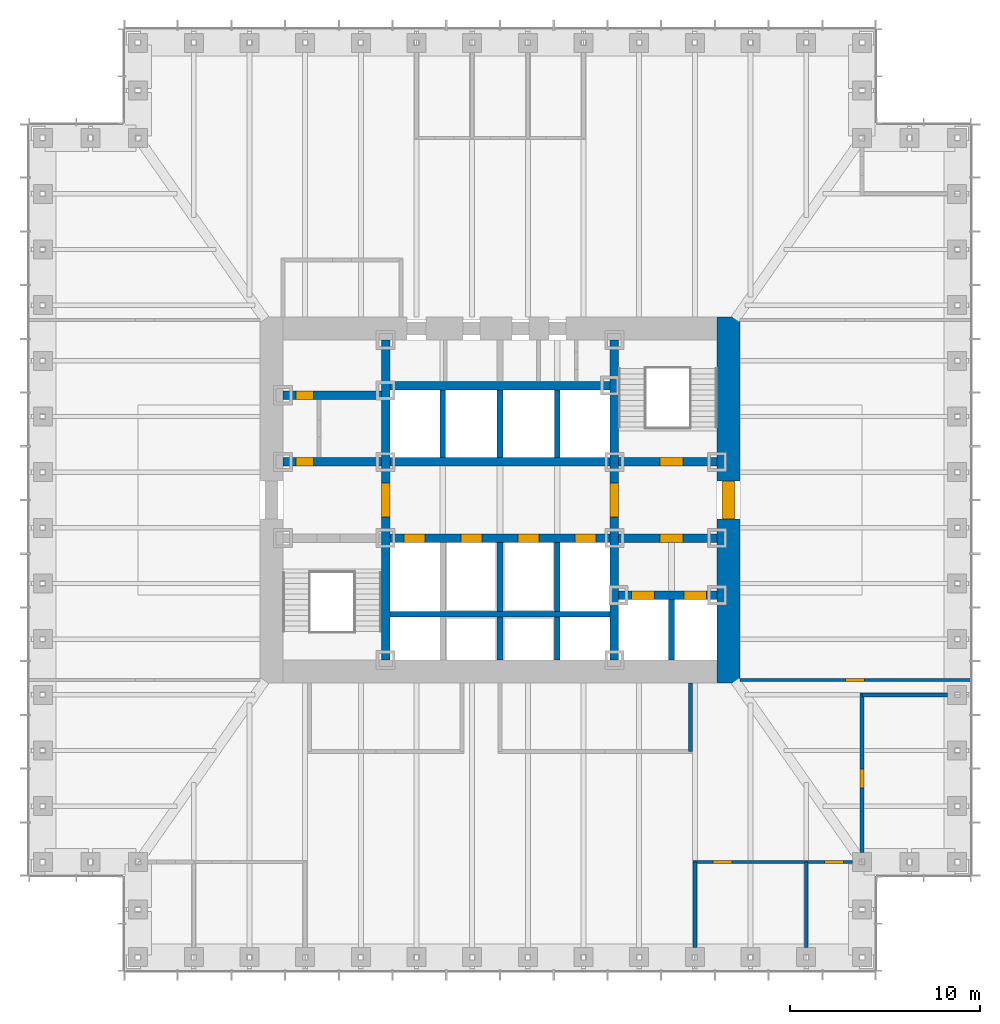
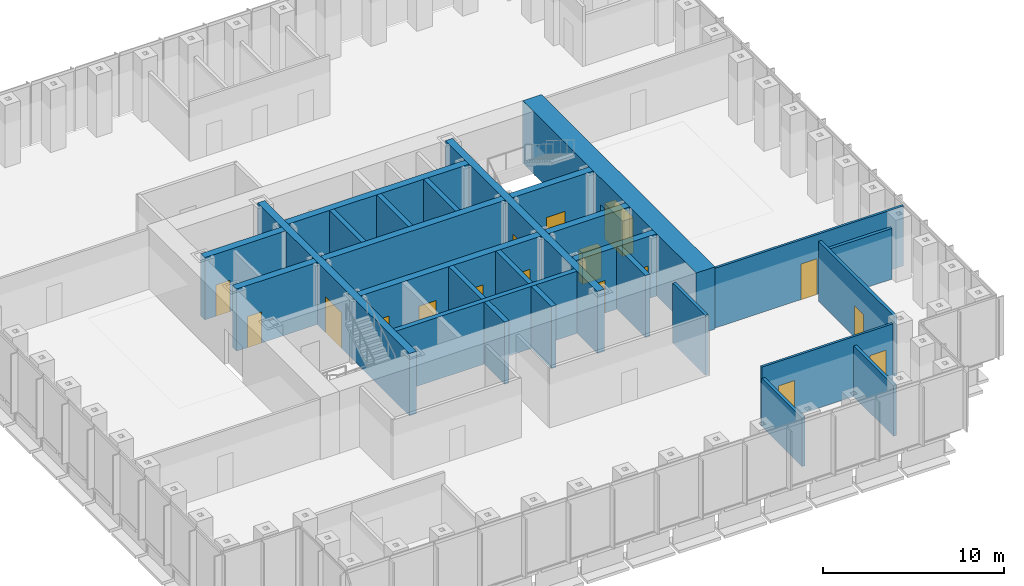
# One storey, part 9 of 16: 27 walls, 17 doors, 17 openings.
"""IFC4 building model written with IfcOpenShell, lengths in metres."""

from ifc_helpers import new_model, si_unit, direction, frame, frame_2d, origin, place, context, subcontext, project, spatial, rectangle, extrude, material, layer, layer_set, type_object, element, fill, save


model = new_model("IFC4")

# Units and contexts
model_context = context("Model", 3, precision=1e-05, world=origin(), true_north=direction((0.0, 1.0)))
body_context = subcontext(model_context, "Body", "Model", "MODEL_VIEW")
ifc_project = project(units=[si_unit("LENGTHUNIT", "METRE"), si_unit("AREAUNIT", "SQUARE_METRE"), si_unit("VOLUMEUNIT", "CUBIC_METRE"), si_unit("PLANEANGLEUNIT", "RADIAN"), si_unit("MASSUNIT", "GRAM", prefix="KILO")], contexts=[model_context])

# Site, building, storey
site_placement = place(None, origin())
site = spatial("IfcSite", under=ifc_project, at=site_placement, CompositionType="ELEMENT")
building_placement = place(site_placement, origin())
building = spatial("IfcBuilding", under=site, at=building_placement, Name="Daluyong Arena Tower", CompositionType="ELEMENT")
storey_placement = place(building_placement, frame((0.0, 0.0, 39.10009765625)))
storey = spatial("IfcBuildingStorey", under=building, at=storey_placement, Name="L07", CompositionType="ELEMENT", Elevation=39.10009765625)

# Wall, opening, door
ifc_material_1 = material(Name="Concrete fc' 45 MPa", Category="concrete")
ifc_layer_1 = layer(ifc_material_1, 0.449951171875)
ifc_layer_set_1 = layer_set([ifc_layer_1], Name="Concrete fc' 45 MPa")
wall_type_1 = type_object("IfcWallType", Name="Core inner wall 450", PredefinedType="SHEAR", material=ifc_layer_set_1)
wall_1_placement = place(storey_placement, frame((50.0, 71.60009765625, 0.0), z_axis=(0.0, 0.0, 1.0), x_axis=(0.0, 1.0, 0.0)))
wall_1 = element("IfcWall", 1, at=wall_1_placement, inside=storey, type_object=wall_type_1, Name="core inner wall at L07", PredefinedType="SHEAR", context=body_context, shape_type="SweptSolid", body=[
    extrude(rectangle(XDim=16.7998046875, YDim=0.449951171875, at=frame_2d((8.39990234375, 0.0))), origin(), (0.0, 0.0, 1.0), 4.199951171875),
])
opening_1_placement = place(wall_1_placement, frame((7.5, 0.0, 0.0)))
opening_1 = element("IfcOpeningElement", 2, at=opening_1_placement, cuts=wall_1, Name="Opening 07013", PredefinedType="OPENING", context=body_context, shape_type="SweptSolid", body=[
    extrude(rectangle(XDim=1.800048828125, YDim=2.39990234375, at=frame_2d((0.89990234375, 1.199951171875))), frame((0.0, 0.23486328125, 0.0), z_axis=(0.0, -1.0, 0.0), x_axis=(1.0, 0.0, 0.0)), (0.0, 0.0, 1.0), 0.469970703125),
])
ifc_material_2 = material(Name="Steel door, fire rated", Category="steel")
door_type_1 = type_object("IfcDoorType", Name="Lift lobby opening door 1800", OperationType="DOUBLE_DOOR_SINGLE_SWING", PredefinedType="DOOR", material=ifc_material_2)
door_1_placement = place(opening_1_placement, origin())
door_1 = element("IfcDoor", 3, at=door_1_placement, inside=storey, type_object=door_type_1, Name="lift lobby door west 07013", OperationType="DOUBLE_DOOR_SINGLE_SWING", OverallHeight=2.39990234375, OverallWidth=1.800048828125, PredefinedType="DOOR", context=body_context, shape_type="SweptSolid", body=[
    extrude(rectangle(XDim=1.800048828125, YDim=2.39990234375, at=frame_2d((0.89990234375, 1.199951171875))), frame((0.0, 0.224609375, 0.0), z_axis=(0.0, -1.0, 0.0), x_axis=(1.0, 0.0, 0.0)), (0.0, 0.0, 1.0), 0.449462890625),
])
fill(opening_1, door_1)

wall_2_placement = place(storey_placement, frame((62.0, 71.60009765625, 0.0), z_axis=(0.0, 0.0, 1.0), x_axis=(0.0, 1.0, 0.0)))
wall_2 = element("IfcWall", 4, at=wall_2_placement, inside=storey, type_object=wall_type_1, Name="core inner wall at L07", PredefinedType="SHEAR", context=body_context, shape_type="SweptSolid", body=[
    extrude(rectangle(XDim=16.7998046875, YDim=0.449951171875, at=frame_2d((8.39990234375, 0.0))), origin(), (0.0, 0.0, 1.0), 4.199951171875),
])
opening_2_placement = place(wall_2_placement, frame((7.5, 0.0, 0.0)))
opening_2 = element("IfcOpeningElement", 5, at=opening_2_placement, cuts=wall_2, Name="Opening 07014", PredefinedType="OPENING", context=body_context, shape_type="SweptSolid", body=[
    extrude(rectangle(XDim=1.800048828125, YDim=2.39990234375, at=frame_2d((0.89990234375, 1.199951171875))), frame((0.0, 0.23486328125, 0.0), z_axis=(0.0, -1.0, 0.0), x_axis=(1.0, 0.0, 0.0)), (0.0, 0.0, 1.0), 0.469970703125),
])
door_2_placement = place(opening_2_placement, origin())
door_2 = element("IfcDoor", 6, at=door_2_placement, inside=storey, type_object=door_type_1, Name="lift lobby door east 07014", OperationType="DOUBLE_DOOR_SINGLE_SWING", OverallHeight=2.39990234375, OverallWidth=1.800048828125, PredefinedType="DOOR", context=body_context, shape_type="SweptSolid", body=[
    extrude(rectangle(XDim=1.800048828125, YDim=2.39990234375, at=frame_2d((0.89990234375, 1.199951171875))), frame((0.0, 0.224609375, 0.0), z_axis=(0.0, -1.0, 0.0), x_axis=(1.0, 0.0, 0.0)), (0.0, 0.0, 1.0), 0.449462890625),
])
fill(opening_2, door_2)

wall_3_placement = place(storey_placement, frame((44.60009765625, 82.0, 0.0), z_axis=(0.0, 0.0, 1.0), x_axis=(1.0, 0.0, 0.0)))
wall_3 = element("IfcWall", 7, at=wall_3_placement, inside=storey, type_object=wall_type_1, Name="core inner wall at L07", PredefinedType="SHEAR", context=body_context, shape_type="SweptSolid", body=[
    extrude(rectangle(XDim=5.1748046875, YDim=0.449951171875, at=frame_2d((2.58740234375, 0.0))), origin(), (0.0, 0.0, 1.0), 4.199951171875),
])
opening_3_placement = place(wall_3_placement, frame((0.699951171875, 0.0, 0.0)))
opening_3 = element("IfcOpeningElement", 8, at=opening_3_placement, cuts=wall_3, Name="Opening 07001", PredefinedType="OPENING", context=body_context, shape_type="SweptSolid", body=[
    extrude(rectangle(XDim=0.89990234375, YDim=2.10009765625, at=frame_2d((0.449951171875, 1.050048828125))), frame((0.0, 0.23486328125, 0.0), z_axis=(0.0, -1.0, 0.0), x_axis=(1.0, 0.0, 0.0)), (0.0, 0.0, 1.0), 0.469970703125),
])
ifc_material_3 = material(Name="Steel door, fire rated", Category="steel")
door_type_2 = type_object("IfcDoorType", Name="Core room door 900", OperationType="SINGLE_SWING_LEFT", PredefinedType="DOOR", material=ifc_material_3)
door_3_placement = place(opening_3_placement, origin())
door_3 = element("IfcDoor", 9, at=door_3_placement, inside=storey, type_object=door_type_2, Name="toilet lobby door 07001", OperationType="SINGLE_SWING_LEFT", OverallHeight=2.10009765625, OverallWidth=0.89990234375, PredefinedType="DOOR", context=body_context, shape_type="SweptSolid", body=[
    extrude(rectangle(XDim=0.89990234375, YDim=2.10009765625, at=frame_2d((0.449951171875, 1.050048828125))), frame((0.0, 0.224609375, 0.0), z_axis=(0.0, -1.0, 0.0), x_axis=(1.0, 0.0, 0.0)), (0.0, 0.0, 1.0), 0.449462890625),
])
fill(opening_3, door_3)

wall_4_placement = place(storey_placement, frame((44.60009765625, 85.5, 0.0), z_axis=(0.0, 0.0, 1.0), x_axis=(1.0, 0.0, 0.0)))
wall_4 = element("IfcWall", 10, at=wall_4_placement, inside=storey, type_object=wall_type_1, Name="core inner wall at L07", PredefinedType="SHEAR", context=body_context, shape_type="SweptSolid", body=[
    extrude(rectangle(XDim=5.1748046875, YDim=0.449951171875, at=frame_2d((2.58740234375, 0.0))), origin(), (0.0, 0.0, 1.0), 4.199951171875),
])
opening_4_placement = place(wall_4_placement, frame((0.699951171875, 0.0, 0.0)))
opening_4 = element("IfcOpeningElement", 11, at=opening_4_placement, cuts=wall_4, Name="Opening 07003", PredefinedType="OPENING", context=body_context, shape_type="SweptSolid", body=[
    extrude(rectangle(XDim=0.89990234375, YDim=2.10009765625, at=frame_2d((0.449951171875, 1.050048828125))), frame((0.0, 0.23486328125, 0.0), z_axis=(0.0, -1.0, 0.0), x_axis=(1.0, 0.0, 0.0)), (0.0, 0.0, 1.0), 0.469970703125),
])
ifc_material_4 = material(Name="Timber door", Category="wood")
door_type_3 = type_object("IfcDoorType", Name="Toilet door 900", OperationType="SINGLE_SWING_RIGHT", PredefinedType="DOOR", material=ifc_material_4)
door_4_placement = place(opening_4_placement, origin())
door_4 = element("IfcDoor", 12, at=door_4_placement, inside=storey, type_object=door_type_3, Name="female toilet door 07003", OperationType="SINGLE_SWING_RIGHT", OverallHeight=2.10009765625, OverallWidth=0.89990234375, PredefinedType="DOOR", context=body_context, shape_type="SweptSolid", body=[
    extrude(rectangle(XDim=0.89990234375, YDim=2.10009765625, at=frame_2d((0.449951171875, 1.050048828125))), frame((0.0, 0.224609375, 0.0), z_axis=(0.0, -1.0, 0.0), x_axis=(1.0, 0.0, 0.0)), (0.0, 0.0, 1.0), 0.449462890625),
])
fill(opening_4, door_4)

# Wall, openings, doors
wall_5_placement = place(storey_placement, frame((62.22509765625, 75.0, 0.0), z_axis=(0.0, 0.0, 1.0), x_axis=(1.0, 0.0, 0.0)))
wall_5 = element("IfcWall", 13, at=wall_5_placement, inside=storey, type_object=wall_type_1, Name="core inner wall at L07", PredefinedType="SHEAR", context=body_context, shape_type="SweptSolid", body=[
    extrude(rectangle(XDim=5.1748046875, YDim=0.449951171875, at=frame_2d((2.58740234375, 0.0))), origin(), (0.0, 0.0, 1.0), 4.199951171875),
])
opening_5_placement = place(wall_5_placement, frame((0.675048828125, 0.0, 0.0)))
opening_5 = element("IfcOpeningElement", 14, at=opening_5_placement, cuts=wall_5, Name="Opening 07020", PredefinedType="OPENING", context=body_context, shape_type="SweptSolid", body=[
    extrude(rectangle(XDim=1.199951171875, YDim=2.199951171875, at=frame_2d((0.60009765625, 1.10009765625))), frame((0.0, 0.23486328125, 0.0), z_axis=(0.0, -1.0, 0.0), x_axis=(1.0, 0.0, 0.0)), (0.0, 0.0, 1.0), 0.469970703125),
])
opening_6_placement = place(wall_5_placement, frame((3.425048828125, 0.0, 0.0)))
opening_6 = element("IfcOpeningElement", 15, at=opening_6_placement, cuts=wall_5, Name="Opening 07021", PredefinedType="OPENING", context=body_context, shape_type="SweptSolid", body=[
    extrude(rectangle(XDim=1.199951171875, YDim=2.199951171875, at=frame_2d((0.60009765625, 1.10009765625))), frame((0.0, 0.23486328125, 0.0), z_axis=(0.0, -1.0, 0.0), x_axis=(1.0, 0.0, 0.0)), (0.0, 0.0, 1.0), 0.469970703125),
])
ifc_material_5 = material(Name="Steel door, fire rated", Category="steel")
door_type_4 = type_object("IfcDoorType", Name="Firefighting lift landing door 1200", OperationType="SLIDING_TO_LEFT", PredefinedType="DOOR", material=ifc_material_5)
door_5_placement = place(opening_5_placement, origin())
door_5 = element("IfcDoor", 16, at=door_5_placement, inside=storey, type_object=door_type_4, Name="firefighting lift landing door F1 07020", OperationType="SLIDING_TO_LEFT", OverallHeight=2.199951171875, OverallWidth=1.199951171875, PredefinedType="DOOR", context=body_context, shape_type="SweptSolid", body=[
    extrude(rectangle(XDim=1.199951171875, YDim=2.199951171875, at=frame_2d((0.60009765625, 1.10009765625))), frame((0.0, 0.224609375, 0.0), z_axis=(0.0, -1.0, 0.0), x_axis=(1.0, 0.0, 0.0)), (0.0, 0.0, 1.0), 0.449462890625),
])
fill(opening_5, door_5)
door_6_placement = place(opening_6_placement, origin())
door_6 = element("IfcDoor", 17, at=door_6_placement, inside=storey, type_object=door_type_4, Name="firefighting lift landing door F2 07021", OperationType="SLIDING_TO_LEFT", OverallHeight=2.199951171875, OverallWidth=1.199951171875, PredefinedType="DOOR", context=body_context, shape_type="SweptSolid", body=[
    extrude(rectangle(XDim=1.199951171875, YDim=2.199951171875, at=frame_2d((0.60009765625, 1.10009765625))), frame((0.0, 0.224609375, 0.0), z_axis=(0.0, -1.0, 0.0), x_axis=(1.0, 0.0, 0.0)), (0.0, 0.0, 1.0), 0.449462890625),
])
fill(opening_6, door_6)

# Wall, opening, door
wall_6_placement = place(storey_placement, frame((62.22509765625, 78.0, 0.0), z_axis=(0.0, 0.0, 1.0), x_axis=(1.0, 0.0, 0.0)))
wall_6 = element("IfcWall", 18, at=wall_6_placement, inside=storey, type_object=wall_type_1, Name="core inner wall at L07", PredefinedType="SHEAR", context=body_context, shape_type="SweptSolid", body=[
    extrude(rectangle(XDim=5.1748046875, YDim=0.449951171875, at=frame_2d((2.58740234375, 0.0))), origin(), (0.0, 0.0, 1.0), 4.199951171875),
])
opening_7_placement = place(wall_6_placement, frame((2.175048828125, 0.0, 0.0)))
opening_7 = element("IfcOpeningElement", 19, at=opening_7_placement, cuts=wall_6, Name="Opening 07015", PredefinedType="OPENING", context=body_context, shape_type="SweptSolid", body=[
    extrude(rectangle(XDim=1.199951171875, YDim=2.10009765625, at=frame_2d((0.60009765625, 1.050048828125))), frame((0.0, 0.23486328125, 0.0), z_axis=(0.0, -1.0, 0.0), x_axis=(1.0, 0.0, 0.0)), (0.0, 0.0, 1.0), 0.469970703125),
])
ifc_material_6 = material(Name="Steel door, fire rated", Category="steel")
door_type_5 = type_object("IfcDoorType", Name="Firefighting lobby door 1200", OperationType="SINGLE_SWING_RIGHT", PredefinedType="DOOR", material=ifc_material_6)
door_7_placement = place(opening_7_placement, origin())
door_7 = element("IfcDoor", 20, at=door_7_placement, inside=storey, type_object=door_type_5, Name="firefighting lobby door 07015", OperationType="SINGLE_SWING_RIGHT", OverallHeight=2.10009765625, OverallWidth=1.199951171875, PredefinedType="DOOR", context=body_context, shape_type="SweptSolid", body=[
    extrude(rectangle(XDim=1.199951171875, YDim=2.10009765625, at=frame_2d((0.60009765625, 1.050048828125))), frame((0.0, 0.224609375, 0.0), z_axis=(0.0, -1.0, 0.0), x_axis=(1.0, 0.0, 0.0)), (0.0, 0.0, 1.0), 0.449462890625),
])
fill(opening_7, door_7)

wall_7_placement = place(storey_placement, frame((62.22509765625, 82.0, 0.0), z_axis=(0.0, 0.0, 1.0), x_axis=(1.0, 0.0, 0.0)))
wall_7 = element("IfcWall", 21, at=wall_7_placement, inside=storey, type_object=wall_type_1, Name="core inner wall at L07", PredefinedType="SHEAR", context=body_context, shape_type="SweptSolid", body=[
    extrude(rectangle(XDim=5.1748046875, YDim=0.449951171875, at=frame_2d((2.58740234375, 0.0))), origin(), (0.0, 0.0, 1.0), 4.199951171875),
])
opening_8_placement = place(wall_7_placement, frame((2.175048828125, 0.0, 0.0)))
opening_8 = element("IfcOpeningElement", 22, at=opening_8_placement, cuts=wall_7, Name="Opening 07010", PredefinedType="OPENING", context=body_context, shape_type="SweptSolid", body=[
    extrude(rectangle(XDim=1.199951171875, YDim=2.10009765625, at=frame_2d((0.60009765625, 1.050048828125))), frame((0.0, 0.23486328125, 0.0), z_axis=(0.0, -1.0, 0.0), x_axis=(1.0, 0.0, 0.0)), (0.0, 0.0, 1.0), 0.469970703125),
])
ifc_material_7 = material(Name="Steel door, fire rated", Category="steel")
door_type_6 = type_object("IfcDoorType", Name="Stair door 1200", OperationType="SINGLE_SWING_LEFT", PredefinedType="DOOR", material=ifc_material_7)
door_8_placement = place(opening_8_placement, origin())
door_8 = element("IfcDoor", 23, at=door_8_placement, inside=storey, type_object=door_type_6, Name="stair B door 07010", OperationType="SINGLE_SWING_LEFT", OverallHeight=2.10009765625, OverallWidth=1.199951171875, PredefinedType="DOOR", context=body_context, shape_type="SweptSolid", body=[
    extrude(rectangle(XDim=1.199951171875, YDim=2.10009765625, at=frame_2d((0.60009765625, 1.050048828125))), frame((0.0, 0.224609375, 0.0), z_axis=(0.0, -1.0, 0.0), x_axis=(1.0, 0.0, 0.0)), (0.0, 0.0, 1.0), 0.449462890625),
])
fill(opening_8, door_8)

# Wall, openings, doors
wall_8_placement = place(storey_placement, frame((50.22509765625, 78.0, 0.0), z_axis=(0.0, 0.0, 1.0), x_axis=(1.0, 0.0, 0.0)))
wall_8 = element("IfcWall", 24, at=wall_8_placement, inside=storey, type_object=wall_type_1, Name="core inner wall at L07", PredefinedType="SHEAR", context=body_context, shape_type="SweptSolid", body=[
    extrude(rectangle(XDim=11.5498046875, YDim=0.449951171875, at=frame_2d((5.77490234375, 0.0))), origin(), (0.0, 0.0, 1.0), 4.199951171875),
])
opening_9_placement = place(wall_8_placement, frame((0.72509765625, 0.0, 0.0)))
opening_9 = element("IfcOpeningElement", 25, at=opening_9_placement, cuts=wall_8, Name="Opening 07016", PredefinedType="OPENING", context=body_context, shape_type="SweptSolid", body=[
    extrude(rectangle(XDim=1.10009765625, YDim=2.199951171875, at=frame_2d((0.550048828125, 1.10009765625))), frame((0.0, 0.23486328125, 0.0), z_axis=(0.0, -1.0, 0.0), x_axis=(1.0, 0.0, 0.0)), (0.0, 0.0, 1.0), 0.469970703125),
])
opening_10_placement = place(wall_8_placement, frame((3.72509765625, 0.0, 0.0)))
opening_10 = element("IfcOpeningElement", 26, at=opening_10_placement, cuts=wall_8, Name="Opening 07017", PredefinedType="OPENING", context=body_context, shape_type="SweptSolid", body=[
    extrude(rectangle(XDim=1.10009765625, YDim=2.199951171875, at=frame_2d((0.550048828125, 1.10009765625))), frame((0.0, 0.23486328125, 0.0), z_axis=(0.0, -1.0, 0.0), x_axis=(1.0, 0.0, 0.0)), (0.0, 0.0, 1.0), 0.469970703125),
])
opening_11_placement = place(wall_8_placement, frame((6.72509765625, 0.0, 0.0)))
opening_11 = element("IfcOpeningElement", 27, at=opening_11_placement, cuts=wall_8, Name="Opening 07018", PredefinedType="OPENING", context=body_context, shape_type="SweptSolid", body=[
    extrude(rectangle(XDim=1.10009765625, YDim=2.199951171875, at=frame_2d((0.550048828125, 1.10009765625))), frame((0.0, 0.23486328125, 0.0), z_axis=(0.0, -1.0, 0.0), x_axis=(1.0, 0.0, 0.0)), (0.0, 0.0, 1.0), 0.469970703125),
])
opening_12_placement = place(wall_8_placement, frame((9.72509765625, 0.0, 0.0)))
opening_12 = element("IfcOpeningElement", 28, at=opening_12_placement, cuts=wall_8, Name="Opening 07019", PredefinedType="OPENING", context=body_context, shape_type="SweptSolid", body=[
    extrude(rectangle(XDim=1.10009765625, YDim=2.199951171875, at=frame_2d((0.550048828125, 1.10009765625))), frame((0.0, 0.23486328125, 0.0), z_axis=(0.0, -1.0, 0.0), x_axis=(1.0, 0.0, 0.0)), (0.0, 0.0, 1.0), 0.469970703125),
])
ifc_material_8 = material(Name="Steel door, fire rated", Category="steel")
door_type_7 = type_object("IfcDoorType", Name="Lift landing door 1100", OperationType="SLIDING_TO_LEFT", PredefinedType="DOOR", material=ifc_material_8)
door_9_placement = place(opening_9_placement, origin())
door_9 = element("IfcDoor", 29, at=door_9_placement, inside=storey, type_object=door_type_7, Name="lift landing door A1 07016", OperationType="SLIDING_TO_LEFT", OverallHeight=2.199951171875, OverallWidth=1.10009765625, PredefinedType="DOOR", context=body_context, shape_type="SweptSolid", body=[
    extrude(rectangle(XDim=1.10009765625, YDim=2.199951171875, at=frame_2d((0.550048828125, 1.10009765625))), frame((0.0, 0.224609375, 0.0), z_axis=(0.0, -1.0, 0.0), x_axis=(1.0, 0.0, 0.0)), (0.0, 0.0, 1.0), 0.449462890625),
])
fill(opening_9, door_9)
door_10_placement = place(opening_10_placement, origin())
door_10 = element("IfcDoor", 30, at=door_10_placement, inside=storey, type_object=door_type_7, Name="lift landing door A2 07017", OperationType="SLIDING_TO_LEFT", OverallHeight=2.199951171875, OverallWidth=1.10009765625, PredefinedType="DOOR", context=body_context, shape_type="SweptSolid", body=[
    extrude(rectangle(XDim=1.10009765625, YDim=2.199951171875, at=frame_2d((0.550048828125, 1.10009765625))), frame((0.0, 0.224609375, 0.0), z_axis=(0.0, -1.0, 0.0), x_axis=(1.0, 0.0, 0.0)), (0.0, 0.0, 1.0), 0.449462890625),
])
fill(opening_10, door_10)
door_11_placement = place(opening_11_placement, origin())
door_11 = element("IfcDoor", 31, at=door_11_placement, inside=storey, type_object=door_type_7, Name="lift landing door A3 07018", OperationType="SLIDING_TO_LEFT", OverallHeight=2.199951171875, OverallWidth=1.10009765625, PredefinedType="DOOR", context=body_context, shape_type="SweptSolid", body=[
    extrude(rectangle(XDim=1.10009765625, YDim=2.199951171875, at=frame_2d((0.550048828125, 1.10009765625))), frame((0.0, 0.224609375, 0.0), z_axis=(0.0, -1.0, 0.0), x_axis=(1.0, 0.0, 0.0)), (0.0, 0.0, 1.0), 0.449462890625),
])
fill(opening_11, door_11)
door_12_placement = place(opening_12_placement, origin())
door_12 = element("IfcDoor", 32, at=door_12_placement, inside=storey, type_object=door_type_7, Name="lift landing door A4 07019", OperationType="SLIDING_TO_LEFT", OverallHeight=2.199951171875, OverallWidth=1.10009765625, PredefinedType="DOOR", context=body_context, shape_type="SweptSolid", body=[
    extrude(rectangle(XDim=1.10009765625, YDim=2.199951171875, at=frame_2d((0.550048828125, 1.10009765625))), frame((0.0, 0.224609375, 0.0), z_axis=(0.0, -1.0, 0.0), x_axis=(1.0, 0.0, 0.0)), (0.0, 0.0, 1.0), 0.449462890625),
])
fill(opening_12, door_12)

# Walls
for number, where, z_axis, x_axis, name in (
    (33, (50.22509765625, 82.0, 0.0), (0.0, 0.0, 1.0), (1.0, 0.0, 0.0), "core inner wall at L07"),
    (34, (50.22509765625, 86.0, 0.0), (0.0, 0.0, 1.0), (1.0, 0.0, 0.0), "core inner wall at L07"),
):
    element("IfcWall", number, at=place(storey_placement, frame(where, z_axis=z_axis, x_axis=x_axis)), inside=storey, type_object=wall_type_1, Name=name, PredefinedType="SHEAR", context=body_context, shape_type="SweptSolid", body=[
        extrude(rectangle(XDim=11.5498046875, YDim=0.449951171875, at=frame_2d((5.77490234375, 0.0))), origin(), (0.0, 0.0, 1.0), 4.199951171875),
    ])

# Wall, opening, door
ifc_material_9 = material(Name="Concrete fc' 60 MPa", Category="concrete")
ifc_layer_2 = layer(ifc_material_9, 1.199951171875)
ifc_layer_set_2 = layer_set([ifc_layer_2], Name="Concrete fc' 60 MPa")
wall_type_2 = type_object("IfcWallType", Name="Core wall 1200", PredefinedType="SHEAR", material=ifc_layer_set_2)
wall_9_placement = place(storey_placement, frame((68.0, 70.39990234375, 0.0), z_axis=(0.0, 0.0, 1.0), x_axis=(0.0, 1.0, 0.0)))
wall_9 = element("IfcWall", 35, at=wall_9_placement, inside=storey, type_object=wall_type_2, Name="core wall at L07", PredefinedType="SHEAR", context=body_context, shape_type="SweptSolid", body=[
    extrude(rectangle(XDim=19.2001953125, YDim=1.199951171875, at=frame_2d((9.60009765625, 0.0))), origin(), (0.0, 0.0, 1.0), 4.199951171875),
])
opening_13_placement = place(wall_9_placement, frame((8.60009765625, 0.0, 0.0)))
opening_13 = element("IfcOpeningElement", 36, at=opening_13_placement, cuts=wall_9, Name="Opening 07012", PredefinedType="OPENING", context=body_context, shape_type="SweptSolid", body=[
    extrude(rectangle(XDim=2.0, YDim=2.39990234375, at=frame_2d((1.0, 1.199951171875))), frame((0.0, 0.60986328125, 0.0), z_axis=(0.0, -1.0, 0.0), x_axis=(1.0, 0.0, 0.0)), (0.0, 0.0, 1.0), 1.219970703125),
])
ifc_material_10 = material(Name="Steel door, fire rated", Category="steel")
door_type_8 = type_object("IfcDoorType", Name="Core lobby double door 2000", OperationType="DOUBLE_DOOR_SINGLE_SWING", PredefinedType="DOOR", material=ifc_material_10)
door_13_placement = place(opening_13_placement, origin())
door_13 = element("IfcDoor", 37, at=door_13_placement, inside=storey, type_object=door_type_8, Name="core lobby door east 07012", OperationType="DOUBLE_DOOR_SINGLE_SWING", OverallHeight=2.39990234375, OverallWidth=2.0, PredefinedType="DOOR", context=body_context, shape_type="SweptSolid", body=[
    extrude(rectangle(XDim=2.0, YDim=2.39990234375, at=frame_2d((1.0, 1.199951171875))), frame((0.0, 0.35009765625, 0.0), z_axis=(0.0, -1.0, 0.0), x_axis=(1.0, 0.0, 0.0)), (0.0, 0.0, 1.0), 0.699951171875),
])
fill(opening_13, door_13)

# Wall, openings, doors
ifc_material_11 = material(Name="Glazed aluminium partition", Category="aluminium")
ifc_layer_3 = layer(ifc_material_11, 0.14990234375)
ifc_layer_set_3 = layer_set([ifc_layer_3], Name="Glazed aluminium partition")
wall_type_3 = type_object("IfcWallType", Name="Glazed partition 150", PredefinedType="PARTITIONING", material=ifc_layer_set_3)
wall_10_placement = place(storey_placement, frame((66.130859375, 61.0, 0.0), z_axis=(0.0, 0.0, 1.0), x_axis=(1.0, 0.0, 0.0)))
wall_10 = element("IfcWall", 38, at=wall_10_placement, inside=storey, type_object=wall_type_3, Name="glazed partition at L07", PredefinedType="PARTITIONING", context=body_context, shape_type="SweptSolid", body=[
    extrude(rectangle(XDim=8.369140625, YDim=0.14990234375, at=frame_2d((4.1845703125, 0.0))), origin(), (0.0, 0.0, 1.0), 4.039794921875),
])
opening_14_placement = place(wall_10_placement, frame((1.0615234375, 0.0, 0.0)))
opening_14 = element("IfcOpeningElement", 39, at=opening_14_placement, cuts=wall_10, Name="Opening 07024", PredefinedType="OPENING", context=body_context, shape_type="SweptSolid", body=[
    extrude(rectangle(XDim=1.0, YDim=2.39990234375, at=frame_2d((0.5, 1.199951171875))), frame((0.0, 0.0849609375, 0.0), z_axis=(0.0, -1.0, 0.0), x_axis=(1.0, 0.0, 0.0)), (0.0, 0.0, 1.0), 0.169921875),
])
opening_15_placement = place(wall_10_placement, frame((6.90771484375, 0.0, 0.0)))
opening_15 = element("IfcOpeningElement", 40, at=opening_15_placement, cuts=wall_10, Name="Opening 07025", PredefinedType="OPENING", context=body_context, shape_type="SweptSolid", body=[
    extrude(rectangle(XDim=1.0, YDim=2.39990234375, at=frame_2d((0.5, 1.199951171875))), frame((0.0, 0.0849609375, 0.0), z_axis=(0.0, -1.0, 0.0), x_axis=(1.0, 0.0, 0.0)), (0.0, 0.0, 1.0), 0.169921875),
])
ifc_material_12 = material(Name="Glazed aluminium door", Category="aluminium")
door_type_9 = type_object("IfcDoorType", Name="Meeting room glazed door 1000", OperationType="SINGLE_SWING_RIGHT", PredefinedType="DOOR", material=ifc_material_12)
door_14_placement = place(opening_14_placement, origin())
door_14 = element("IfcDoor", 41, at=door_14_placement, inside=storey, type_object=door_type_9, Name="meeting room door 07024", OperationType="SINGLE_SWING_RIGHT", OverallHeight=2.39990234375, OverallWidth=1.0, PredefinedType="DOOR", context=body_context, shape_type="SweptSolid", body=[
    extrude(rectangle(XDim=1.0, YDim=2.39990234375, at=frame_2d((0.5, 1.199951171875))), frame((0.0, 0.07470703125, 0.0), z_axis=(0.0, -1.0, 0.0), x_axis=(1.0, 0.0, 0.0)), (0.0, 0.0, 1.0), 0.1494140625),
])
fill(opening_14, door_14)
door_15_placement = place(opening_15_placement, origin())
door_15 = element("IfcDoor", 42, at=door_15_placement, inside=storey, type_object=door_type_9, Name="meeting room door 07025", OperationType="SINGLE_SWING_RIGHT", OverallHeight=2.39990234375, OverallWidth=1.0, PredefinedType="DOOR", context=body_context, shape_type="SweptSolid", body=[
    extrude(rectangle(XDim=1.0, YDim=2.39990234375, at=frame_2d((0.5, 1.199951171875))), frame((0.0, 0.07470703125, 0.0), z_axis=(0.0, -1.0, 0.0), x_axis=(1.0, 0.0, 0.0)), (0.0, 0.0, 1.0), 0.1494140625),
])
fill(opening_15, door_15)

# Wall, opening, door
wall_11_placement = place(storey_placement, frame((68.60009765625, 70.550048828125, 0.0), z_axis=(0.0, 0.0, 1.0), x_axis=(1.0, 0.0, 0.0)))
wall_11 = element("IfcWall", 43, at=wall_11_placement, inside=storey, type_object=wall_type_3, Name="glazed partition at L07", PredefinedType="PARTITIONING", context=body_context, shape_type="SweptSolid", body=[
    extrude(rectangle(XDim=12.08984375, YDim=0.14990234375, at=frame_2d((6.044921875, 0.0))), origin(), (0.0, 0.0, 1.0), 4.039794921875),
])
opening_16_placement = place(wall_11_placement, frame((5.544921875, 0.0, 0.0)))
opening_16 = element("IfcOpeningElement", 44, at=opening_16_placement, cuts=wall_11, Name="Opening 07036", PredefinedType="OPENING", context=body_context, shape_type="SweptSolid", body=[
    extrude(rectangle(XDim=1.0, YDim=2.39990234375, at=frame_2d((0.5, 1.199951171875))), frame((0.0, 0.0849609375, 0.0), z_axis=(0.0, -1.0, 0.0), x_axis=(1.0, 0.0, 0.0)), (0.0, 0.0, 1.0), 0.169921875),
])
door_16_placement = place(opening_16_placement, origin())
door_16 = element("IfcDoor", 45, at=door_16_placement, inside=storey, type_object=door_type_9, Name="team area screen door 07036", OperationType="SINGLE_SWING_RIGHT", OverallHeight=2.39990234375, OverallWidth=1.0, PredefinedType="DOOR", context=body_context, shape_type="SweptSolid", body=[
    extrude(rectangle(XDim=1.0, YDim=2.39990234375, at=frame_2d((0.5, 1.199951171875))), frame((0.0, 0.07470703125, 0.0), z_axis=(0.0, -1.0, 0.0), x_axis=(1.0, 0.0, 0.0)), (0.0, 0.0, 1.0), 0.1494140625),
])
fill(opening_16, door_16)

# Walls
ifc_material_13 = material(Name="Concrete fc' 45 MPa", Category="concrete")
ifc_layer_4 = layer(ifc_material_13, 0.300048828125)
ifc_layer_set_4 = layer_set([ifc_layer_4], Name="Concrete fc' 45 MPa")
wall_type_4 = type_object("IfcWallType", Name="Lift shaft wall 300", PredefinedType="SHEAR", material=ifc_layer_set_4)
wall_12_placement = place(storey_placement, frame((50.22509765625, 74.0, 0.0), z_axis=(0.0, 0.0, 1.0), x_axis=(1.0, 0.0, 0.0)))
element("IfcWall", 46, at=wall_12_placement, inside=storey, type_object=wall_type_4, Name="lift shaft wall at L07", PredefinedType="SHEAR", context=body_context, shape_type="SweptSolid", body=[
    extrude(rectangle(XDim=11.5498046875, YDim=0.300048828125, at=frame_2d((5.77490234375, 0.0))), origin(), (0.0, 0.0, 1.0), 4.199951171875),
])
wall_13_placement = place(storey_placement, frame((53.0, 82.22509765625, 0.0), z_axis=(0.0, 0.0, 1.0), x_axis=(0.0, 1.0, 0.0)))
element("IfcWall", 47, at=wall_13_placement, inside=storey, type_object=wall_type_4, Name="lift shaft wall at L07", PredefinedType="SHEAR", context=body_context, shape_type="SweptSolid", body=[
    extrude(rectangle(XDim=3.5498046875, YDim=0.300048828125, at=frame_2d((1.77490234375, 0.0))), origin(), (0.0, 0.0, 1.0), 4.199951171875),
])
wall_14_placement = place(storey_placement, frame((56.0, 71.60009765625, 0.0), z_axis=(0.0, 0.0, 1.0), x_axis=(0.0, 1.0, 0.0)))
element("IfcWall", 48, at=wall_14_placement, inside=storey, type_object=wall_type_4, Name="lift shaft wall at L07", PredefinedType="SHEAR", context=body_context, shape_type="SweptSolid", body=[
    extrude(rectangle(XDim=2.25, YDim=0.300048828125, at=frame_2d((1.125, 0.0))), origin(), (0.0, 0.0, 1.0), 4.199951171875),
])
wall_15_placement = place(storey_placement, frame((56.0, 74.14990234375, 0.0), z_axis=(0.0, 0.0, 1.0), x_axis=(0.0, 1.0, 0.0)))
element("IfcWall", 49, at=wall_15_placement, inside=storey, type_object=wall_type_4, Name="lift shaft wall at L07", PredefinedType="SHEAR", context=body_context, shape_type="SweptSolid", body=[
    extrude(rectangle(XDim=3.625, YDim=0.300048828125, at=frame_2d((1.8125, 0.0))), origin(), (0.0, 0.0, 1.0), 4.199951171875),
])
wall_16_placement = place(storey_placement, frame((56.0, 82.22509765625, 0.0), z_axis=(0.0, 0.0, 1.0), x_axis=(0.0, 1.0, 0.0)))
element("IfcWall", 50, at=wall_16_placement, inside=storey, type_object=wall_type_4, Name="lift shaft wall at L07", PredefinedType="SHEAR", context=body_context, shape_type="SweptSolid", body=[
    extrude(rectangle(XDim=3.5498046875, YDim=0.300048828125, at=frame_2d((1.77490234375, 0.0))), origin(), (0.0, 0.0, 1.0), 4.199951171875),
])
wall_17_placement = place(storey_placement, frame((59.0, 71.60009765625, 0.0), z_axis=(0.0, 0.0, 1.0), x_axis=(0.0, 1.0, 0.0)))
element("IfcWall", 51, at=wall_17_placement, inside=storey, type_object=wall_type_4, Name="lift shaft wall at L07", PredefinedType="SHEAR", context=body_context, shape_type="SweptSolid", body=[
    extrude(rectangle(XDim=2.25, YDim=0.300048828125, at=frame_2d((1.125, 0.0))), origin(), (0.0, 0.0, 1.0), 4.199951171875),
])
wall_18_placement = place(storey_placement, frame((59.0, 74.14990234375, 0.0), z_axis=(0.0, 0.0, 1.0), x_axis=(0.0, 1.0, 0.0)))
element("IfcWall", 52, at=wall_18_placement, inside=storey, type_object=wall_type_4, Name="lift shaft wall at L07", PredefinedType="SHEAR", context=body_context, shape_type="SweptSolid", body=[
    extrude(rectangle(XDim=3.625, YDim=0.300048828125, at=frame_2d((1.8125, 0.0))), origin(), (0.0, 0.0, 1.0), 4.199951171875),
])
wall_19_placement = place(storey_placement, frame((59.0, 82.22509765625, 0.0), z_axis=(0.0, 0.0, 1.0), x_axis=(0.0, 1.0, 0.0)))
element("IfcWall", 53, at=wall_19_placement, inside=storey, type_object=wall_type_4, Name="lift shaft wall at L07", PredefinedType="SHEAR", context=body_context, shape_type="SweptSolid", body=[
    extrude(rectangle(XDim=3.5498046875, YDim=0.300048828125, at=frame_2d((1.77490234375, 0.0))), origin(), (0.0, 0.0, 1.0), 4.199951171875),
])
wall_20_placement = place(storey_placement, frame((65.0, 71.60009765625, 0.0), z_axis=(0.0, 0.0, 1.0), x_axis=(0.0, 1.0, 0.0)))
element("IfcWall", 54, at=wall_20_placement, inside=storey, type_object=wall_type_4, Name="lift shaft wall at L07", PredefinedType="SHEAR", context=body_context, shape_type="SweptSolid", body=[
    extrude(rectangle(XDim=3.1748046875, YDim=0.300048828125, at=frame_2d((1.58740234375, 0.0))), origin(), (0.0, 0.0, 1.0), 4.199951171875),
])
ifc_material_14 = material(Name="Concrete block partition", Category="concrete")
ifc_layer_5 = layer(ifc_material_14, 0.199951171875)
ifc_layer_set_5 = layer_set([ifc_layer_5], Name="Concrete block partition")
wall_type_5 = type_object("IfcWallType", Name="Partition 200", PredefinedType="PARTITIONING", material=ifc_layer_set_5)
wall_21_placement = place(storey_placement, frame((66.230712890625, 56.5, 0.0), z_axis=(0.0, 0.0, 1.0), x_axis=(0.0, 1.0, 0.0)))
element("IfcWall", 55, at=wall_21_placement, inside=storey, type_object=wall_type_5, Name="partition at L07", PredefinedType="PARTITIONING", context=body_context, shape_type="SweptSolid", body=[
    extrude(rectangle(XDim=4.5, YDim=0.199951171875, at=frame_2d((2.25, 0.0))), origin(), (0.0, 0.0, 1.0), 3.27783203125),
])
for number, where, z_axis, x_axis, name in (
    (56, (72.076904296875, 56.5, 0.0), (0.0, 0.0, 1.0), (0.0, 1.0, 0.0), "partition at L07"),
    (57, (75.0, 69.769287109375, 0.0), (0.0, 0.0, 1.0), (1.0, 0.0, 0.0), "partition at L07"),
):
    element("IfcWall", number, at=place(storey_placement, frame(where, z_axis=z_axis, x_axis=x_axis)), inside=storey, type_object=wall_type_5, Name=name, PredefinedType="PARTITIONING", context=body_context, shape_type="SweptSolid", body=[
        extrude(rectangle(XDim=4.5, YDim=0.199951171875, at=frame_2d((2.25, 0.0))), origin(), (0.0, 0.0, 1.0), 3.427734375),
    ])
wall_22_placement = place(storey_placement, frame((66.0, 66.800048828125, 0.0), z_axis=(0.0, 0.0, 1.0), x_axis=(0.0, 1.0, 0.0)))
element("IfcWall", 58, at=wall_22_placement, inside=storey, type_object=wall_type_5, Name="partition at L07", PredefinedType="PARTITIONING", context=body_context, shape_type="SweptSolid", body=[
    extrude(rectangle(XDim=3.599853515625, YDim=0.199951171875, at=frame_2d((1.7998046875, 0.0))), origin(), (0.0, 0.0, 1.0), 4.039794921875),
])

# Wall, opening, door
wall_23_placement = place(storey_placement, frame((75.0, 61.5, 0.0), z_axis=(0.0, 0.0, 1.0), x_axis=(0.0, 1.0, 0.0)))
wall_23 = element("IfcWall", 59, at=wall_23_placement, inside=storey, type_object=wall_type_5, Name="partition at L07", PredefinedType="PARTITIONING", context=body_context, shape_type="SweptSolid", body=[
    extrude(rectangle(XDim=8.369140625, YDim=0.199951171875, at=frame_2d((4.1845703125, 0.0))), origin(), (0.0, 0.0, 1.0), 4.039794921875),
])
opening_17_placement = place(wall_23_placement, frame((3.384521484375, 0.0, 0.0)))
opening_17 = element("IfcOpeningElement", 60, at=opening_17_placement, cuts=wall_23, Name="Opening 07026", PredefinedType="OPENING", context=body_context, shape_type="SweptSolid", body=[
    extrude(rectangle(XDim=1.0, YDim=2.10009765625, at=frame_2d((0.5, 1.050048828125))), frame((0.0, 0.10986328125, 0.0), z_axis=(0.0, -1.0, 0.0), x_axis=(1.0, 0.0, 0.0)), (0.0, 0.0, 1.0), 0.219970703125),
])
ifc_material_15 = material(Name="Timber door", Category="wood")
door_type_10 = type_object("IfcDoorType", Name="Room door 1000", OperationType="SINGLE_SWING_LEFT", PredefinedType="DOOR", material=ifc_material_15)
door_17_placement = place(opening_17_placement, origin())
door_17 = element("IfcDoor", 61, at=door_17_placement, inside=storey, type_object=door_type_10, Name="training room door 07026", OperationType="SINGLE_SWING_LEFT", OverallHeight=2.10009765625, OverallWidth=1.0, PredefinedType="DOOR", context=body_context, shape_type="SweptSolid", body=[
    extrude(rectangle(XDim=1.0, YDim=2.10009765625, at=frame_2d((0.5, 1.050048828125))), frame((0.0, 0.099609375, 0.0), z_axis=(0.0, -1.0, 0.0), x_axis=(1.0, 0.0, 0.0)), (0.0, 0.0, 1.0), 0.199462890625),
])
fill(opening_17, door_17)

save(model, "model.ifc")
